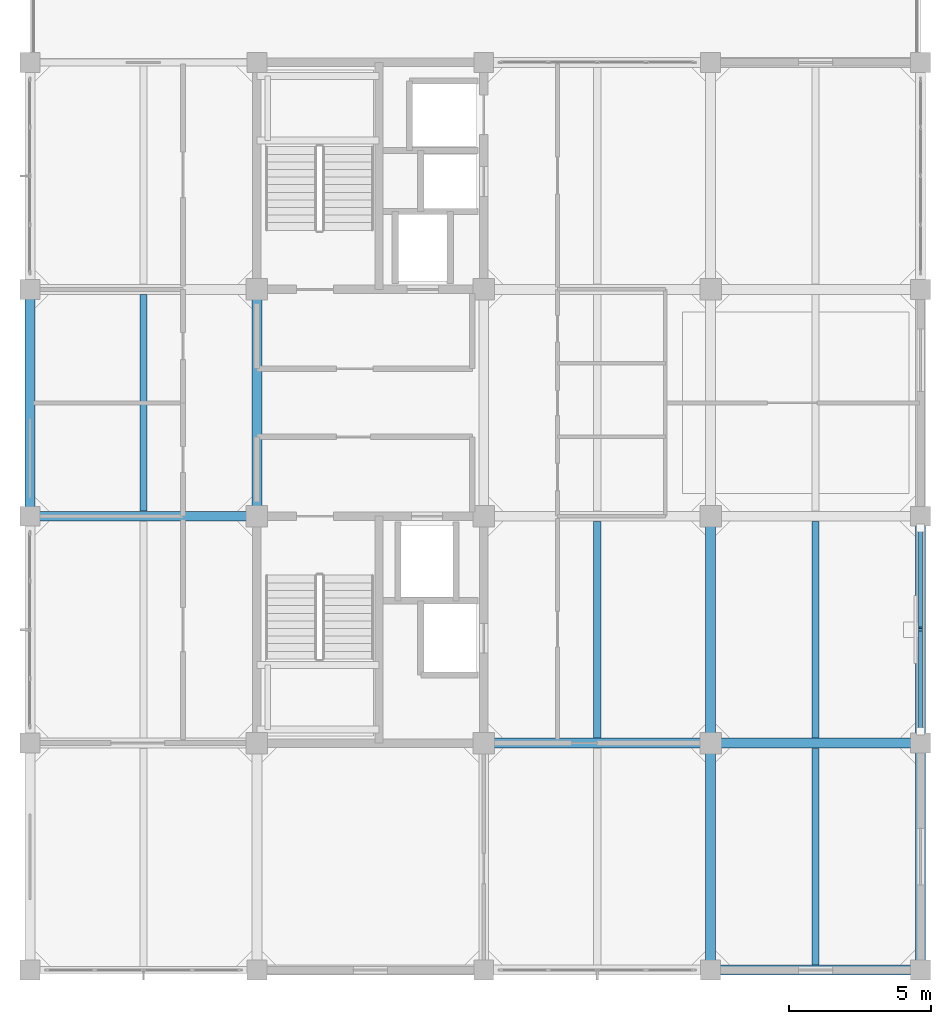
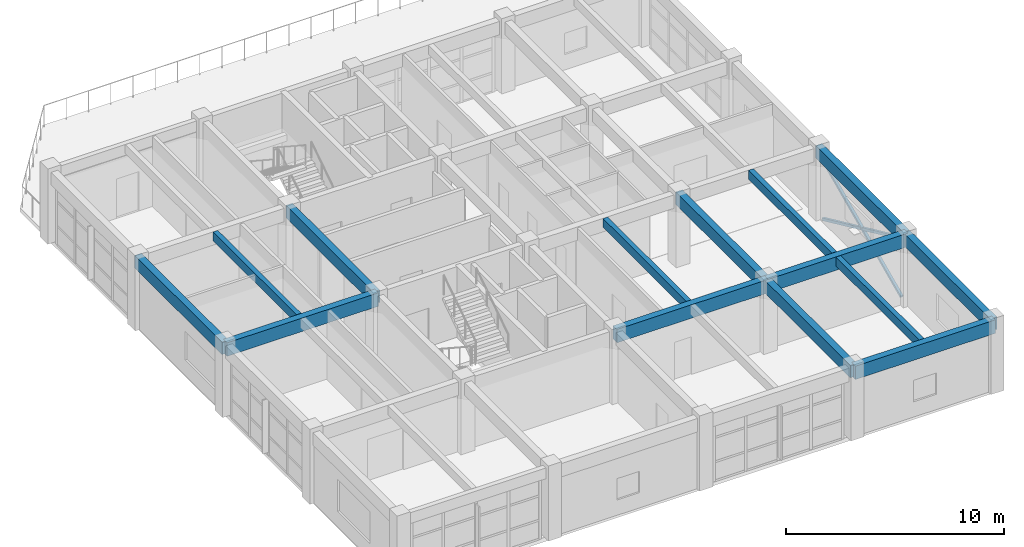
# One storey, part 7 of 19: 14 beams, 3 members.
"""IFC4 building model written with IfcOpenShell, lengths in metres."""

from ifc_helpers import new_model, si_unit, direction, frame, origin, origin_2d, place, context, subcontext, project, spatial, rectangle, hollow_rectangle, extrude, material, material_profile, profile_set, type_object, element, save


model = new_model("IFC4")

# Units and contexts
model_context = context("Model", 3, precision=1e-05, world=origin(), true_north=direction((0.0, 1.0)))
body_context = subcontext(model_context, "Body", "Model", "MODEL_VIEW")
ifc_project = project(units=[si_unit("LENGTHUNIT", "METRE"), si_unit("AREAUNIT", "SQUARE_METRE"), si_unit("VOLUMEUNIT", "CUBIC_METRE"), si_unit("PLANEANGLEUNIT", "RADIAN"), si_unit("MASSUNIT", "GRAM", prefix="KILO")], contexts=[model_context])

# Site, building, storey
site_placement = place(None, origin())
site = spatial("IfcSite", under=ifc_project, at=site_placement, CompositionType="ELEMENT")
building_placement = place(site_placement, origin())
building = spatial("IfcBuilding", under=site, at=building_placement, Name="Canggui Botanical Conservatory", CompositionType="ELEMENT")
storey_placement = place(building_placement, frame((0.0, 0.0, 48.60009765625)))
storey = spatial("IfcBuildingStorey", under=building, at=storey_placement, Name="L12", CompositionType="ELEMENT", Elevation=48.60009765625)

# Beams
ifc_material_1 = material(Name="Concrete C35", Category="concrete")
ifc_material_profile_1 = material_profile(ifc_material_1, rectangle(XDim=0.25, YDim=0.5, at=origin_2d()), Name="RB 250x500")
ifc_profile_set_1 = profile_set([ifc_material_profile_1], Name="Concrete C35")
beam_type_1 = type_object("IfcBeamType", Name="BM-JST04", PredefinedType="JOIST", material=ifc_profile_set_1)
for number, where, z_axis, x_axis, name in (
    (1, (150.0, 50.179931640625, 3.7099609375), (0.0, 1.0, 0.0), (-1.0, 0.0, 0.0), "Secondary Floor Joist L12-1-3"),
    (2, (166.0, 42.179931640625, 3.7099609375), (0.0, 1.0, 0.0), (-1.0, 0.0, 0.0), "Secondary Floor Joist L12-3-2"),
    (3, (173.699951171875, 34.179931640625, 3.7099609375), (0.0, 1.0, 0.0), (-1.0, 0.0, 0.0), "Secondary Floor Joist L12-4-1"),
    (4, (173.699951171875, 42.179931640625, 3.7099609375), (0.0, 1.0, 0.0), (-1.0, 0.0, 0.0), "Secondary Floor Joist L12-4-2"),
):
    element("IfcBeam", number, at=place(storey_placement, frame(where, z_axis=z_axis, x_axis=x_axis)), inside=storey, type_object=beam_type_1, Name=name, PredefinedType="JOIST", context=body_context, shape_type="SweptSolid", body=[
        extrude(rectangle(XDim=0.25, YDim=0.5, at=origin_2d()), origin(), (0.0, 0.0, 1.0), 7.64013671875),
    ])
ifc_material_profile_2 = material_profile(ifc_material_1, rectangle(XDim=0.35009765625, YDim=0.75, at=origin_2d()), Name="RB 350x750")
ifc_profile_set_2 = profile_set([ifc_material_profile_2], Name="Concrete C35")
beam_type_2 = type_object("IfcBeamType", Name="BM-KL16", PredefinedType="BEAM", material=ifc_profile_set_2)
beam_1_placement = place(storey_placement, frame((170.0, 34.0, 3.5849609375), z_axis=(1.0, 0.0, 0.0), x_axis=(0.0, 1.0, 0.0)))
element("IfcBeam", 5, at=beam_1_placement, inside=storey, type_object=beam_type_2, Name="Frame Girder L12 Y34-4", PredefinedType="BEAM", context=body_context, shape_type="SweptSolid", body=[
    extrude(rectangle(XDim=0.35009765625, YDim=0.75, at=origin_2d()), origin(), (0.0, 0.0, 1.0), 7.39990234375),
])
beam_2_placement = place(storey_placement, frame((162.0, 42.0, 3.5849609375), z_axis=(1.0, 0.0, 0.0), x_axis=(0.0, 1.0, 0.0)))
element("IfcBeam", 6, at=beam_2_placement, inside=storey, type_object=beam_type_2, Name="Frame Girder L12 Y42-3", PredefinedType="BEAM", context=body_context, shape_type="SweptSolid", body=[
    extrude(rectangle(XDim=0.35009765625, YDim=0.75, at=origin_2d()), origin(), (0.0, 0.0, 1.0), 8.0),
])
beam_3_placement = place(storey_placement, frame((170.0, 42.0, 3.5849609375), z_axis=(1.0, 0.0, 0.0), x_axis=(0.0, 1.0, 0.0)))
element("IfcBeam", 7, at=beam_3_placement, inside=storey, type_object=beam_type_2, Name="Frame Girder L12 Y42-4", PredefinedType="BEAM", context=body_context, shape_type="SweptSolid", body=[
    extrude(rectangle(XDim=0.35009765625, YDim=0.75, at=origin_2d()), origin(), (0.0, 0.0, 1.0), 7.39990234375),
])
beam_4_placement = place(storey_placement, frame((146.0, 50.0, 3.5849609375), z_axis=(1.0, 0.0, 0.0), x_axis=(0.0, 1.0, 0.0)))
element("IfcBeam", 8, at=beam_4_placement, inside=storey, type_object=beam_type_2, Name="Frame Girder L12 Y50-1", PredefinedType="BEAM", context=body_context, shape_type="SweptSolid", body=[
    extrude(rectangle(XDim=0.35009765625, YDim=0.75, at=origin_2d()), origin(), (0.0, 0.0, 1.0), 8.0),
])
ifc_material_profile_3 = material_profile(ifc_material_1, rectangle(XDim=0.35009765625, YDim=0.699951171875, at=origin_2d()), Name="RB 350x700")
ifc_profile_set_3 = profile_set([ifc_material_profile_3], Name="Concrete C35")
beam_type_3 = type_object("IfcBeamType", Name="BM-KL17", PredefinedType="BEAM", material=ifc_profile_set_3)
for number, where, z_axis, x_axis, name in (
    (9, (146.0, 50.0, 3.60986328125), (0.0, 1.0, 0.0), (-1.0, 0.0, 0.0), "Frame Girder L12 X146-3"),
    (10, (154.0, 50.0, 3.60986328125), (0.0, 1.0, 0.0), (-1.0, 0.0, 0.0), "Frame Girder L12 X154-3"),
    (11, (170.0, 34.0, 3.60986328125), (0.0, 1.0, 0.0), (-1.0, 0.0, 0.0), "Frame Girder L12 X170-1"),
    (12, (170.0, 42.0, 3.60986328125), (0.0, 1.0, 0.0), (-1.0, 0.0, 0.0), "Frame Girder L12 X170-2"),
    (13, (177.39990234375, 34.0, 3.60986328125), (0.0, 1.0, 0.0), (-1.0, 0.0, 0.0), "Frame Girder L12 X178-1"),
    (14, (177.39990234375, 42.0, 3.60986328125), (0.0, 1.0, 0.0), (-1.0, 0.0, 0.0), "Frame Girder L12 X178-2"),
):
    element("IfcBeam", number, at=place(storey_placement, frame(where, z_axis=z_axis, x_axis=x_axis)), inside=storey, type_object=beam_type_3, Name=name, PredefinedType="BEAM", context=body_context, shape_type="SweptSolid", body=[
        extrude(rectangle(XDim=0.35009765625, YDim=0.699951171875, at=origin_2d()), origin(), (0.0, 0.0, 1.0), 8.0),
    ])

# Members
ifc_material_2 = material(Name="Steel Q355B", Category="steel")
ifc_material_profile_4 = material_profile(ifc_material_2, hollow_rectangle(XDim=0.139892578125, YDim=0.139892578125, WallThickness=0.006103515625, at=origin_2d()), Name="SHS 140x140x6")
ifc_profile_set_4 = profile_set([ifc_material_profile_4], Name="Steel Q355B")
member_type = type_object("IfcMemberType", Name="MEM-ZC05", PredefinedType="BRACE", material=ifc_profile_set_4)
member_placement = place(storey_placement, frame((177.39990234375, 42.419921875, 0.0498046875), z_axis=(0.0, 0.909146995561, 0.416475377979), x_axis=(-1.0, 0.0, 0.0)))
element("IfcMember", 15, at=member_placement, inside=storey, type_object=member_type, Name="Seismic Concentric X-Brace Continuous Diagonal L12-A", PredefinedType="BRACE", context=body_context, shape_type="SweptSolid", body=[
    extrude(hollow_rectangle(XDim=0.139892578125, YDim=0.139892578125, WallThickness=0.006103515625, at=origin_2d()), origin(), (0.0, 0.0, 1.0), 7.875732421875),
])
for number, where, z_axis, x_axis, name in (
    (16, (177.39990234375, 49.580078125, 0.0498046875), (0.0, -0.909146703063, 0.416476016487), (1.0, 0.0, 0.0), "Seismic Concentric X-Brace Lower Split Diagonal L12-B1"),
    (17, (177.39990234375, 45.92724609375, 1.72314453125), (0.0, -0.909146703063, 0.416476016487), (1.0, 0.0, 0.0), "Seismic Concentric X-Brace Upper Split Diagonal L12-B2"),
):
    element("IfcMember", number, at=place(storey_placement, frame(where, z_axis=z_axis, x_axis=x_axis)), inside=storey, type_object=member_type, Name=name, PredefinedType="BRACE", context=body_context, shape_type="SweptSolid", body=[
        extrude(hollow_rectangle(XDim=0.139892578125, YDim=0.139892578125, WallThickness=0.006103515625, at=origin_2d()), origin(), (0.0, 0.0, 1.0), 3.85791015625),
    ])

save(model, "model.ifc")
